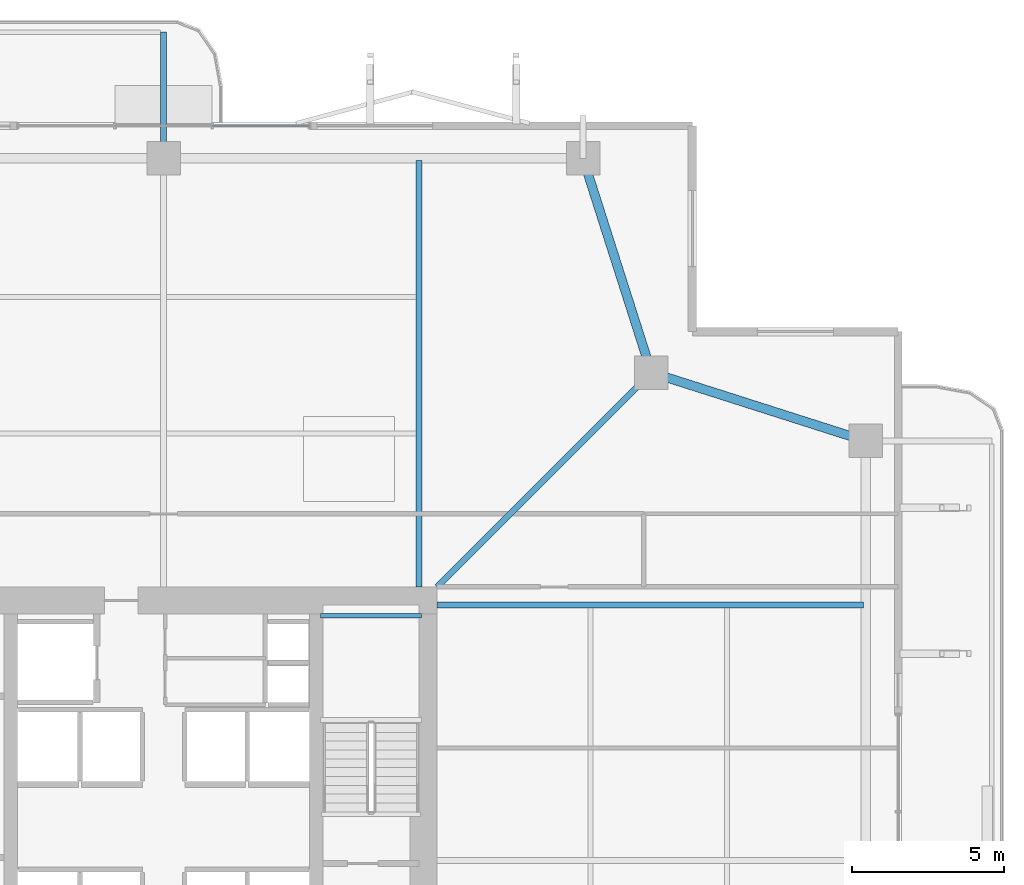
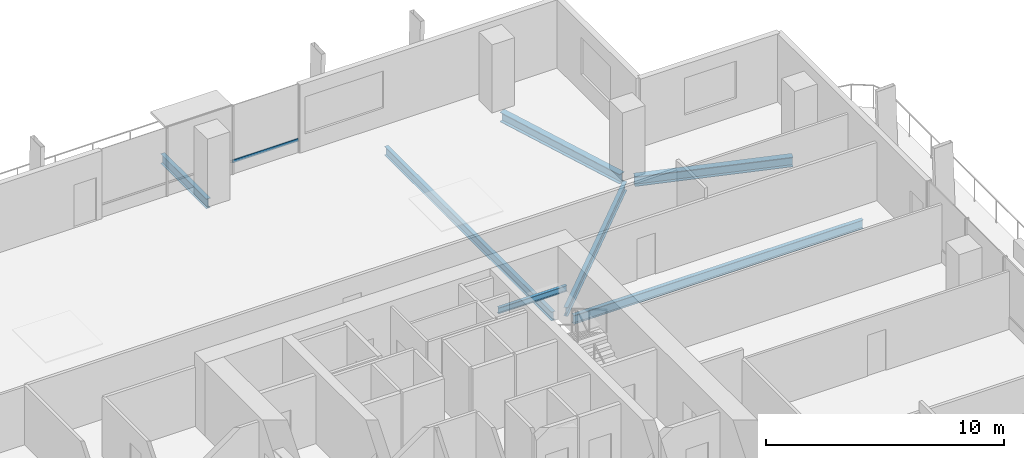
# One storey, part 14 of 25: 7 beams, 1 member, 1 element without a shape of its own.
"""IFC4 building model written with IfcOpenShell, lengths in metres."""

from ifc_helpers import new_model, si_unit, direction, frame, origin, origin_2d, place, context, subcontext, project, spatial, hollow_rectangle, i_section, extrude, material, layer, layer_set, material_profile, profile_set, type_object, element, aggregate, save


model = new_model("IFC4")

# Units and contexts
model_context = context("Model", 3, precision=1e-05, world=origin(), true_north=direction((0.0, 1.0)))
body_context = subcontext(model_context, "Body", "Model", "MODEL_VIEW")
ifc_project = project(units=[si_unit("LENGTHUNIT", "METRE"), si_unit("AREAUNIT", "SQUARE_METRE"), si_unit("VOLUMEUNIT", "CUBIC_METRE"), si_unit("PLANEANGLEUNIT", "RADIAN"), si_unit("MASSUNIT", "GRAM", prefix="KILO")], contexts=[model_context])

# Site, building, storey
site_placement = place(None, origin())
site = spatial("IfcSite", under=ifc_project, at=site_placement, CompositionType="ELEMENT")
building_placement = place(site_placement, origin())
building = spatial("IfcBuilding", under=site, at=building_placement, Name="Belovzor Exchange Tower", CompositionType="ELEMENT")
storey_placement = place(building_placement, frame((0.0, 0.0, 142.050048828125)))
storey = spatial("IfcBuildingStorey", under=building, at=storey_placement, Name="L34", CompositionType="ELEMENT", Elevation=142.050048828125)

# Beams
ifc_material_1 = material(Name="Steel S355", Category="steel")
ifc_material_profile_1 = material_profile(ifc_material_1, i_section(OverallWidth=0.199951171875, OverallDepth=0.5, WebThickness=0.01025390625, FlangeThickness=0.01611328125, at=origin_2d()))
ifc_profile_set_1 = profile_set([ifc_material_profile_1], Name="Steel S355")
beam_type_1 = type_object("IfcBeamType", Name="Planted Balcony Cantilever Beam IPE 500", PredefinedType="BEAM", material=ifc_profile_set_1)
beam_1_placement = place(storey_placement, frame((28.800048828125, 52.202880859375, -0.505126953125), z_axis=(0.0, 1.0, 0.0), x_axis=(-1.0, 0.0, 0.0)))
element("IfcBeam", 1, at=beam_1_placement, inside=storey, type_object=beam_type_1, Name="BC-500 Planted Balcony Cantilever Beam IPE 500", PredefinedType="BEAM", context=body_context, shape_type="SweptSolid", body=[
    extrude(i_section(OverallWidth=0.199951171875, OverallDepth=0.5, WebThickness=0.01025390625, FlangeThickness=0.01611328125, at=origin_2d()), origin(), (0.0, 0.0, 1.0), 3.85009765625),
])
ifc_material_2 = material(Name="Steel S355", Category="steel")
ifc_material_profile_2 = material_profile(ifc_material_2, i_section(OverallWidth=0.14990234375, OverallDepth=0.300048828125, WebThickness=0.007080078125, FlangeThickness=0.0107421875, at=origin_2d()))
ifc_profile_set_2 = profile_set([ifc_material_profile_2], Name="Steel S355")
beam_type_2 = type_object("IfcBeamType", Name="Secondary Trim Floor Joist IPE 300", PredefinedType="BEAM", material=ifc_profile_set_2)
beam_2_placement = place(storey_placement, frame((37.280029296875, 36.85009765625, 1.52490234375), z_axis=(-1.0, 0.0, 0.0), x_axis=(0.0, -1.0, 0.0)))
element("IfcBeam", 2, at=beam_2_placement, inside=storey, type_object=beam_type_2, Name="FJ-300 Secondary Trim Floor Joist IPE 300", PredefinedType="BEAM", context=body_context, shape_type="SweptSolid", body=[
    extrude(i_section(OverallWidth=0.14990234375, OverallDepth=0.300048828125, WebThickness=0.007080078125, FlangeThickness=0.0107421875, at=origin_2d()), origin(), (0.0, 0.0, 1.0), 3.31005859375),
])

# Curtain wall, member
ifc_material_3 = material(Name="Anodised Aluminium Framing", Category="aluminium")
ifc_layer = layer(ifc_material_3, 0.179931640625)
ifc_layer_set = layer_set([ifc_layer], Name="Anodised Aluminium Framing")
curtain_wall_type = type_object("IfcCurtainWallType", Name="Recessed Loggia Low-Iron Triple-Glazed Curtain Wall", PredefinedType="NOTDEFINED", material=ifc_layer_set)
curtain_wall_placement = place(storey_placement, origin())
curtain_wall = element("IfcCurtainWall", 3, at=curtain_wall_placement, inside=storey, type_object=curtain_wall_type, Name="CW3 Recessed Loggia Low-Iron Triple-Glazed Curtain Wall L34", PredefinedType="NOTDEFINED")
ifc_material_4 = material(Name="Steel S355", Category="steel")
ifc_material_profile_3 = material_profile(ifc_material_4, hollow_rectangle(XDim=0.06005859375, YDim=0.14990234375, WallThickness=0.00390625, at=origin_2d()))
ifc_profile_set_3 = profile_set([ifc_material_profile_3], Name="Steel S355")
member_type = type_object("IfcMemberType", Name="Thermally Broken Curtain Wall Transom 150x60", PredefinedType="USERDEFINED", material=ifc_profile_set_3)
member_placement = place(storey_placement, frame((30.407958984375, 52.969970703125, 0.62890625), z_axis=(1.0, 0.0, 0.0), x_axis=(0.0, 1.0, 0.0)))
member = element("IfcMember", 4, at=member_placement, type_object=member_type, Name="CW-T150 Curtain Wall Transom 3", ObjectType="TRANSOM", PredefinedType="USERDEFINED", context=body_context, shape_type="SweptSolid", body=[
    extrude(hollow_rectangle(XDim=0.06005859375, YDim=0.14990234375, WallThickness=0.00390625, at=origin_2d()), origin(), (0.0, 0.0, 1.0), 3.18408203125),
])
aggregate(curtain_wall, [member])

# Beams
ifc_material_5 = material(Name="Steel S355", Category="steel")
ifc_material_profile_4 = material_profile(ifc_material_5, i_section(OverallWidth=0.18994140625, OverallDepth=0.449951171875, WebThickness=0.009521484375, FlangeThickness=0.0146484375, at=origin_2d()))
ifc_profile_set_4 = profile_set([ifc_material_profile_4], Name="Steel S355")
beam_type_3 = type_object("IfcBeamType", Name="Zone 2-4 Radial Composite Floor Beam IPE 450", PredefinedType="BEAM", material=ifc_profile_set_4)
for number, where, z_axis, x_axis, name in (
    (5, (37.199951171875, 37.800048828125, -0.47998046875), (0.0, 1.0, 0.0), (-1.0, 0.0, 0.0), "FB-450 Zone 2-4 Radial Composite Floor Beam IPE 450"),
    (6, (37.800048828125, 37.199951171875, -0.47998046875), (1.0, 0.0, 0.0), (0.0, 1.0, 0.0), "FB-450 Zone 2-4 Radial Composite Floor Beam IPE 450"),
):
    element("IfcBeam", number, at=place(storey_placement, frame(where, z_axis=z_axis, x_axis=x_axis)), inside=storey, type_object=beam_type_3, Name=name, PredefinedType="BEAM", context=body_context, shape_type="SweptSolid", body=[
        extrude(i_section(OverallWidth=0.18994140625, OverallDepth=0.449951171875, WebThickness=0.009521484375, FlangeThickness=0.0146484375, at=origin_2d()), origin(), (0.0, 0.0, 1.0), 14.02490234375),
    ])
beam_3_placement = place(storey_placement, frame((37.800048828125, 37.800048828125, -0.47998046875), z_axis=(0.707106781187, 0.707106781187, 0.0), x_axis=(-0.707106781187, 0.707106781187, 0.0)))
element("IfcBeam", 7, at=beam_3_placement, inside=storey, type_object=beam_type_3, Name="FB-450 Zone 2-4 Radial Composite Floor Beam IPE 450", PredefinedType="BEAM", context=body_context, shape_type="SweptSolid", body=[
    extrude(i_section(OverallWidth=0.18994140625, OverallDepth=0.449951171875, WebThickness=0.009521484375, FlangeThickness=0.0146484375, at=origin_2d()), origin(), (0.0, 0.0, 1.0), 9.5810546875),
])
ifc_material_6 = material(Name="Steel S355", Category="steel")
ifc_material_profile_5 = material_profile(ifc_material_6, i_section(OverallWidth=0.300048828125, OverallDepth=0.5, WebThickness=0.014404296875, FlangeThickness=0.028076171875, at=origin_2d()))
ifc_profile_set_5 = profile_set([ifc_material_profile_5], Name="Steel S355")
beam_type_4 = type_object("IfcBeamType", Name="Zone 3 Waist Primary Girder HEB 500", PredefinedType="BEAM", material=ifc_profile_set_5)
for number, where, z_axis, x_axis, name in (
    (8, (51.612060546875, 42.69189453125, -0.505126953125), (-0.952661203756, 0.304033930439, 0.0), (-0.304033930439, -0.952661203756, 0.0), "FG-Z3 Zone 3 Waist Primary Girder HEB 500"),
    (9, (44.758056640625, 45.137939453125, -0.505126953125), (-0.304033930439, 0.952661203756, 0.0), (-0.952661203756, -0.304033930439, 0.0), "FG-Z3 Zone 3 Waist Primary Girder HEB 500"),
):
    element("IfcBeam", number, at=place(storey_placement, frame(where, z_axis=z_axis, x_axis=x_axis)), inside=storey, type_object=beam_type_4, Name=name, PredefinedType="BEAM", context=body_context, shape_type="SweptSolid", body=[
        extrude(i_section(OverallWidth=0.300048828125, OverallDepth=0.5, WebThickness=0.014404296875, FlangeThickness=0.028076171875, at=origin_2d()), origin(), (0.0, 0.0, 1.0), 6.7958984375),
    ])

save(model, "model.ifc")
